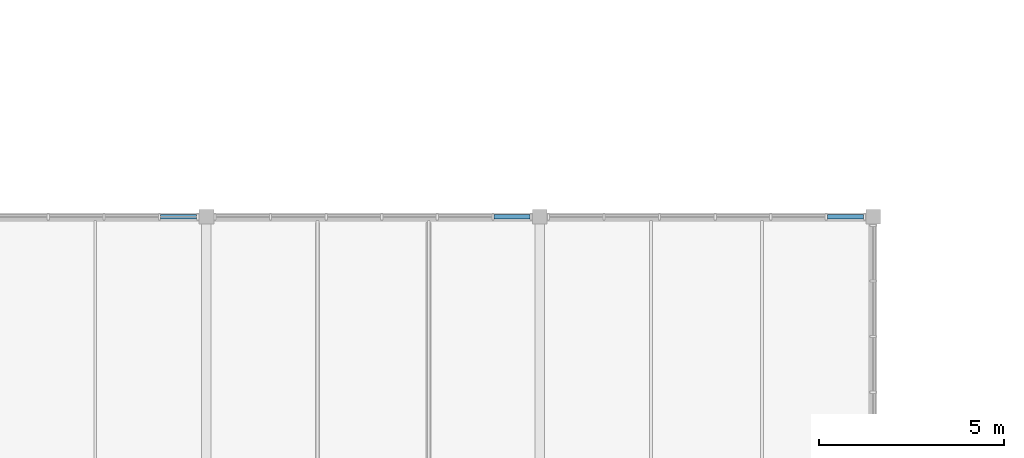
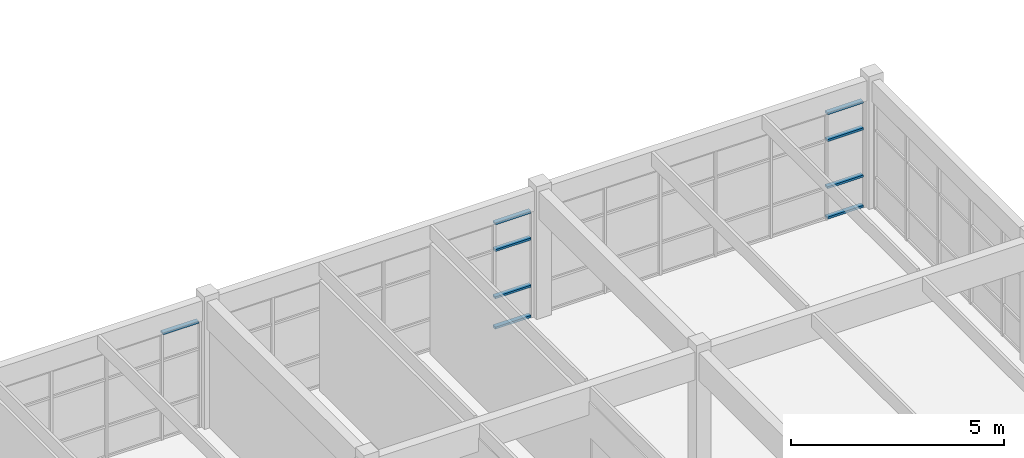
# One storey, part 49 of 81: 9 members, 3 elements without a shape of their own.
"""IFC4 building model written with IfcOpenShell, lengths in metres."""

from ifc_helpers import new_model, si_unit, direction, frame, origin, origin_2d, place, context, subcontext, project, spatial, rectangle, extrude, material, layer, layer_set, material_profile, profile_set, type_object, element, aggregate, save


model = new_model("IFC4")

# Units and contexts
model_context = context("Model", 3, precision=1e-05, world=origin(), true_north=direction((0.0, 1.0)))
body_context = subcontext(model_context, "Body", "Model", "MODEL_VIEW")
ifc_project = project(units=[si_unit("LENGTHUNIT", "METRE"), si_unit("AREAUNIT", "SQUARE_METRE"), si_unit("VOLUMEUNIT", "CUBIC_METRE"), si_unit("PLANEANGLEUNIT", "RADIAN"), si_unit("MASSUNIT", "GRAM", prefix="KILO")], contexts=[model_context])

# Site, building, storey
site_placement = place(None, origin())
site = spatial("IfcSite", under=ifc_project, at=site_placement, CompositionType="ELEMENT")
building_placement = place(site_placement, origin())
building = spatial("IfcBuilding", under=site, at=building_placement, Name="Marnridge Secondary College", CompositionType="ELEMENT")
storey_placement = place(building_placement, frame((0.0, 0.0, 8.5)))
storey = spatial("IfcBuildingStorey", under=building, at=storey_placement, Name="L02", CompositionType="ELEMENT", Elevation=8.5)

# Curtain wall, member
ifc_material_1 = material(Name="Thermally broken aluminium and low-E glazing", Category="aluminium")
ifc_layer = layer(ifc_material_1, 0.159912109375)
ifc_layer_set = layer_set([ifc_layer], Name="CW-MOD-1500")
curtain_wall_type = type_object("IfcCurtainWallType", Name="CW-MOD-1500", PredefinedType="NOTDEFINED", material=ifc_layer_set)
curtain_wall_1_placement = place(storey_placement, origin())
curtain_wall_1 = element("IfcCurtainWall", 1, at=curtain_wall_1_placement, inside=storey, type_object=curtain_wall_type, Name="Unitised curtain wall CW-L02-074", PredefinedType="NOTDEFINED")
ifc_material_2 = material(Name="Anodised aluminium 6063-T6", Category="aluminium")
ifc_material_profile = material_profile(ifc_material_2, rectangle(XDim=0.06005859375, YDim=0.1201171875, at=origin_2d()), Name="ALU 60x120")
ifc_profile_set = profile_set([ifc_material_profile], Name="Anodised aluminium 6063-T6")
member_type = type_object("IfcMemberType", Name="CWT-ALU120", PredefinedType="USERDEFINED", material=ifc_profile_set)
member_1_placement = place(storey_placement, frame((70.763916015625, 82.5, 3.01708984375), z_axis=(1.0, 0.0, 0.0), x_axis=(0.0, 0.0, 1.0)))
member_1 = element("IfcMember", 2, at=member_1_placement, type_object=member_type, Name="CW-L02-074 transom 6.4", ObjectType="TRANSOM", PredefinedType="USERDEFINED", context=body_context, shape_type="SweptSolid", body=[
    extrude(rectangle(XDim=0.06005859375, YDim=0.1201171875, at=origin_2d()), origin(), (0.0, 0.0, 1.0), 0.97216796875),
])
aggregate(curtain_wall_1, [member_1])

# Curtain wall, members
curtain_wall_2_placement = place(storey_placement, origin())
curtain_wall_2 = element("IfcCurtainWall", 3, at=curtain_wall_2_placement, inside=storey, type_object=curtain_wall_type, Name="Unitised curtain wall CW-L02-075", PredefinedType="NOTDEFINED")
member_2_placement = place(storey_placement, frame((79.763916015625, 82.5, 0.030029296875), z_axis=(1.0, 0.0, 0.0), x_axis=(0.0, 0.0, 1.0)))
member_2 = element("IfcMember", 4, at=member_2_placement, type_object=member_type, Name="CW-L02-075 transom 6.1", ObjectType="TRANSOM", PredefinedType="USERDEFINED", context=body_context, shape_type="SweptSolid", body=[
    extrude(rectangle(XDim=0.06005859375, YDim=0.1201171875, at=origin_2d()), origin(), (0.0, 0.0, 1.0), 0.97216796875),
])
member_3_placement = place(storey_placement, frame((79.763916015625, 82.5, 0.89990234375), z_axis=(1.0, 0.0, 0.0), x_axis=(0.0, 0.0, 1.0)))
member_3 = element("IfcMember", 5, at=member_3_placement, type_object=member_type, Name="CW-L02-075 transom 6.2", ObjectType="TRANSOM", PredefinedType="USERDEFINED", context=body_context, shape_type="SweptSolid", body=[
    extrude(rectangle(XDim=0.06005859375, YDim=0.1201171875, at=origin_2d()), origin(), (0.0, 0.0, 1.0), 0.97216796875),
])
member_4_placement = place(storey_placement, frame((79.763916015625, 82.5, 2.25), z_axis=(1.0, 0.0, 0.0), x_axis=(0.0, 0.0, 1.0)))
member_4 = element("IfcMember", 6, at=member_4_placement, type_object=member_type, Name="CW-L02-075 transom 6.3", ObjectType="TRANSOM", PredefinedType="USERDEFINED", context=body_context, shape_type="SweptSolid", body=[
    extrude(rectangle(XDim=0.06005859375, YDim=0.1201171875, at=origin_2d()), origin(), (0.0, 0.0, 1.0), 0.97216796875),
])
member_5_placement = place(storey_placement, frame((79.763916015625, 82.5, 3.01708984375), z_axis=(1.0, 0.0, 0.0), x_axis=(0.0, 0.0, 1.0)))
member_5 = element("IfcMember", 7, at=member_5_placement, type_object=member_type, Name="CW-L02-075 transom 6.4", ObjectType="TRANSOM", PredefinedType="USERDEFINED", context=body_context, shape_type="SweptSolid", body=[
    extrude(rectangle(XDim=0.06005859375, YDim=0.1201171875, at=origin_2d()), origin(), (0.0, 0.0, 1.0), 0.97216796875),
])
aggregate(curtain_wall_2, [member_2, member_3, member_4, member_5])

curtain_wall_3_placement = place(storey_placement, origin())
curtain_wall_3 = element("IfcCurtainWall", 8, at=curtain_wall_3_placement, inside=storey, type_object=curtain_wall_type, Name="Unitised curtain wall CW-L02-076", PredefinedType="NOTDEFINED")
member_6_placement = place(storey_placement, frame((88.763916015625, 82.5, 0.030029296875), z_axis=(1.0, 0.0, 0.0), x_axis=(0.0, 0.0, 1.0)))
member_6 = element("IfcMember", 9, at=member_6_placement, type_object=member_type, Name="CW-L02-076 transom 6.1", ObjectType="TRANSOM", PredefinedType="USERDEFINED", context=body_context, shape_type="SweptSolid", body=[
    extrude(rectangle(XDim=0.06005859375, YDim=0.1201171875, at=origin_2d()), origin(), (0.0, 0.0, 1.0), 0.97216796875),
])
member_7_placement = place(storey_placement, frame((88.763916015625, 82.5, 0.89990234375), z_axis=(1.0, 0.0, 0.0), x_axis=(0.0, 0.0, 1.0)))
member_7 = element("IfcMember", 10, at=member_7_placement, type_object=member_type, Name="CW-L02-076 transom 6.2", ObjectType="TRANSOM", PredefinedType="USERDEFINED", context=body_context, shape_type="SweptSolid", body=[
    extrude(rectangle(XDim=0.06005859375, YDim=0.1201171875, at=origin_2d()), origin(), (0.0, 0.0, 1.0), 0.97216796875),
])
member_8_placement = place(storey_placement, frame((88.763916015625, 82.5, 2.25), z_axis=(1.0, 0.0, 0.0), x_axis=(0.0, 0.0, 1.0)))
member_8 = element("IfcMember", 11, at=member_8_placement, type_object=member_type, Name="CW-L02-076 transom 6.3", ObjectType="TRANSOM", PredefinedType="USERDEFINED", context=body_context, shape_type="SweptSolid", body=[
    extrude(rectangle(XDim=0.06005859375, YDim=0.1201171875, at=origin_2d()), origin(), (0.0, 0.0, 1.0), 0.97216796875),
])
member_9_placement = place(storey_placement, frame((88.763916015625, 82.5, 3.01708984375), z_axis=(1.0, 0.0, 0.0), x_axis=(0.0, 0.0, 1.0)))
member_9 = element("IfcMember", 12, at=member_9_placement, type_object=member_type, Name="CW-L02-076 transom 6.4", ObjectType="TRANSOM", PredefinedType="USERDEFINED", context=body_context, shape_type="SweptSolid", body=[
    extrude(rectangle(XDim=0.06005859375, YDim=0.1201171875, at=origin_2d()), origin(), (0.0, 0.0, 1.0), 0.97216796875),
])
aggregate(curtain_wall_3, [member_6, member_7, member_8, member_9])

save(model, "model.ifc")
